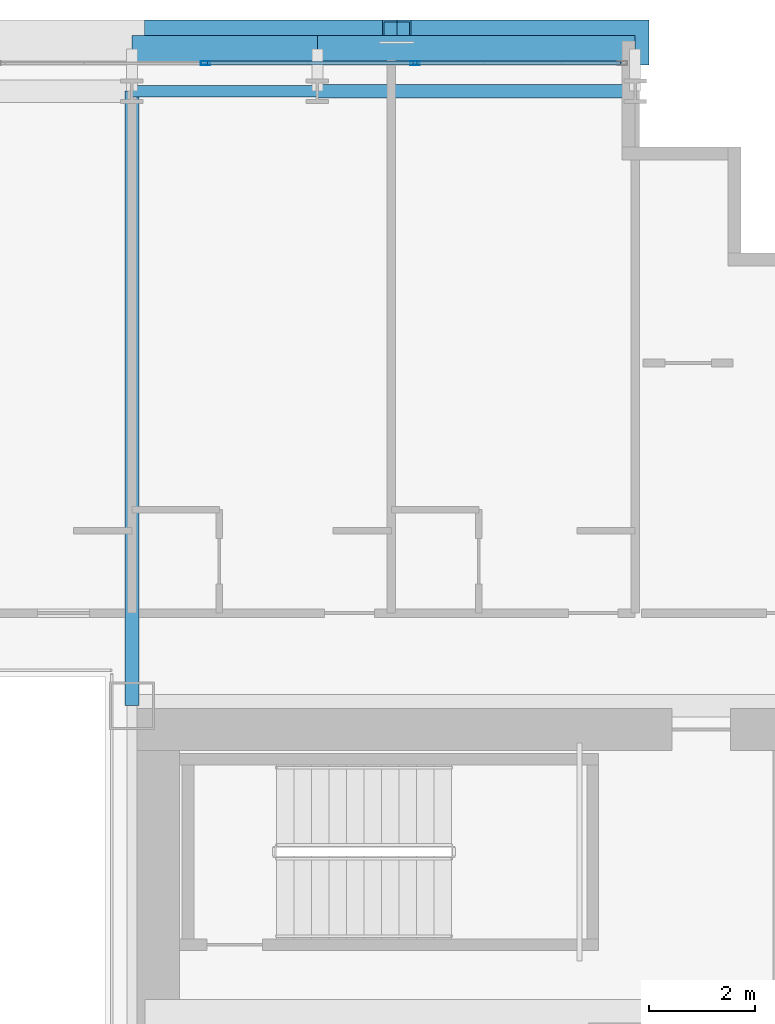
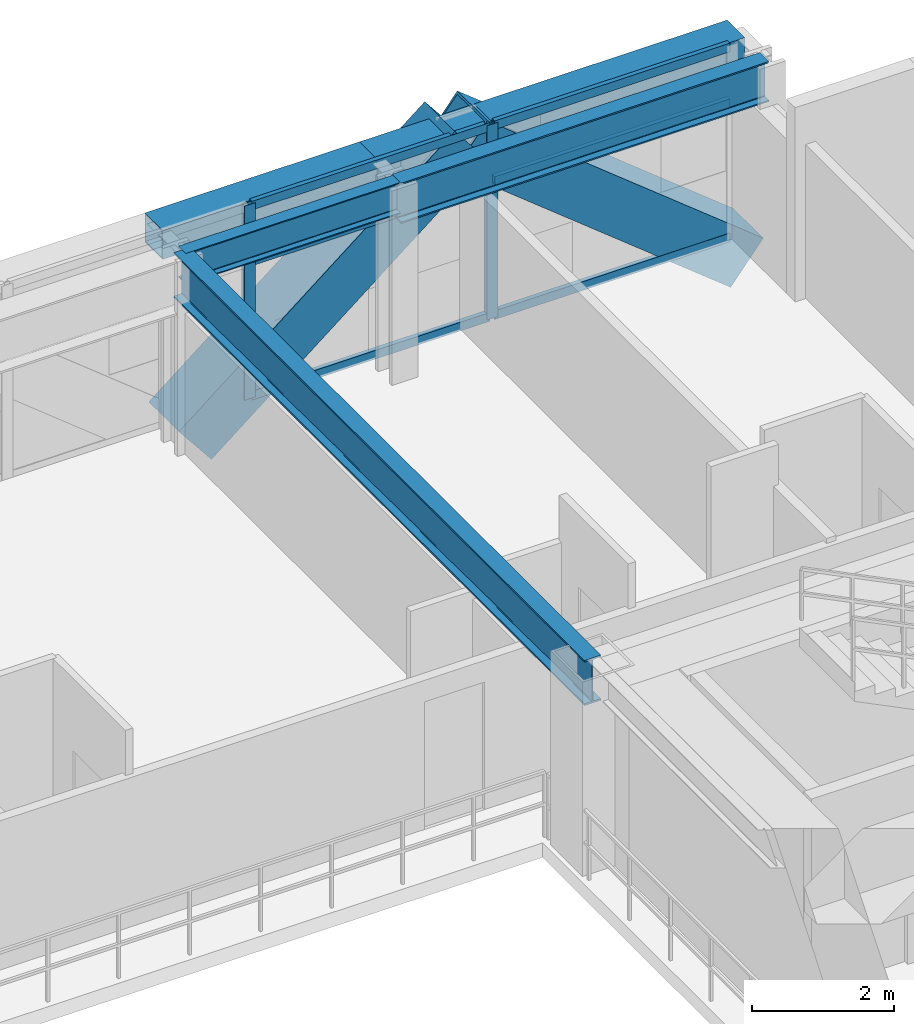
# One storey, part 21 of 35: 10 members, 5 beams, 1 element without a shape of its own.
"""IFC4 building model written with IfcOpenShell, lengths in metres."""

from ifc_helpers import new_model, si_unit, direction, frame, origin, origin_2d, place, context, subcontext, project, spatial, hollow_rectangle, i_section, extrude, source, transform, mapped, material, layer, layer_set, material_profile, profile_set, type_object, element, aggregate, save


model = new_model("IFC4")

# Units and contexts
model_context = context("Model", 3, precision=1e-05, world=origin(), true_north=direction((0.0, 1.0)))
body_context = subcontext(model_context, "Body", "Model", "MODEL_VIEW")
ifc_project = project(units=[si_unit("LENGTHUNIT", "METRE"), si_unit("AREAUNIT", "SQUARE_METRE"), si_unit("VOLUMEUNIT", "CUBIC_METRE"), si_unit("PLANEANGLEUNIT", "RADIAN"), si_unit("MASSUNIT", "GRAM", prefix="KILO")], contexts=[model_context])

# Site, building, storey
site_placement = place(None, origin())
site = spatial("IfcSite", under=ifc_project, at=site_placement, CompositionType="ELEMENT")
building_placement = place(site_placement, origin())
building = spatial("IfcBuilding", under=site, at=building_placement, Name="Ocotamira Hotel", CompositionType="ELEMENT")
storey_placement = place(building_placement, frame((0.0, 0.0, 78.0)))
storey = spatial("IfcBuildingStorey", under=building, at=storey_placement, Name="L19", CompositionType="ELEMENT", Elevation=78.0)

# Beams
ifc_material_1 = material(Name="Steel ASTM A992 Grade 50", Category="steel")
ifc_material_profile_1 = material_profile(ifc_material_1, i_section(OverallWidth=0.256103515625, OverallDepth=0.693115234375, WebThickness=0.014404296875, FlangeThickness=0.023681640625, FilletRadius=0.01611328125, at=origin_2d()), Name="W27X114")
ifc_profile_set_1 = profile_set([ifc_material_profile_1], Name="Steel ASTM A992 Grade 50")
beam_type_1 = type_object("IfcBeamType", Name="BM-PRIM-W27X114", PredefinedType="BEAM", material=ifc_profile_set_1)
shared_shape_1 = source(origin(), body_context, "Body", "SweptSolid", [
    extrude(i_section(OverallWidth=0.256103515625, OverallDepth=0.693115234375, WebThickness=0.014404296875, FlangeThickness=0.023681640625, FilletRadius=0.01611328125, at=origin_2d()), origin(), (0.0, 0.0, 1.0), 6.0),
])
beam_1_placement = place(storey_placement, frame((44.0, 49.050048828125, 3.00341796875), z_axis=(1.0, 0.0, 0.0), x_axis=(0.0, 1.0, 0.0)))
element("IfcBeam", 1, at=beam_1_placement, inside=storey, type_object=beam_type_1, Name="L19 Girder Y49.05 X44-50", PredefinedType="BEAM", context=body_context, shape_type="MappedRepresentation", body=[
    mapped(shared_shape_1, transform((0.0, 0.0, 0.0), scale=1.0)),
])
ifc_material_profile_2 = material_profile(ifc_material_1, i_section(OverallWidth=0.2099609375, OverallDepth=0.537109375, WebThickness=0.010986328125, FlangeThickness=0.017333984375, FilletRadius=0.012939453125, at=origin_2d()), Name="W21X68")
ifc_profile_set_2 = profile_set([ifc_material_profile_2], Name="Steel ASTM A992 Grade 50")
beam_type_2 = type_object("IfcBeamType", Name="BM-SEC-W21X68", PredefinedType="JOIST", material=ifc_profile_set_2)
shared_shape_2 = source(origin(), body_context, "Body", "SweptSolid", [
    extrude(i_section(OverallWidth=0.2099609375, OverallDepth=0.537109375, WebThickness=0.010986328125, FlangeThickness=0.017333984375, FilletRadius=0.012939453125, at=origin_2d()), origin(), (0.0, 0.0, 1.0), 3.5),
])
beam_2_placement = place(storey_placement, frame((40.5, 49.050048828125, 3.08154296875), z_axis=(1.0, 0.0, 0.0), x_axis=(0.0, 1.0, 0.0)))
element("IfcBeam", 2, at=beam_2_placement, inside=storey, type_object=beam_type_2, Name="L19 Girder Y49.05 X40.5-44", PredefinedType="JOIST", context=body_context, shape_type="MappedRepresentation", body=[
    mapped(shared_shape_2, transform((0.0, 0.0, 0.0), scale=1.0)),
])
ifc_material_profile_3 = material_profile(ifc_material_1, i_section(OverallWidth=0.26611328125, OverallDepth=0.779052734375, WebThickness=0.0166015625, FlangeThickness=0.030029296875, FilletRadius=0.01806640625, at=origin_2d()), Name="W30X148")
ifc_profile_set_3 = profile_set([ifc_material_profile_3], Name="Steel ASTM A992 Grade 50")
beam_type_3 = type_object("IfcBeamType", Name="BM-GIRD-W30X148", PredefinedType="BEAM", material=ifc_profile_set_3)
shared_shape_3 = source(origin(), body_context, "Body", "SweptSolid", [
    extrude(i_section(OverallWidth=0.26611328125, OverallDepth=0.779052734375, WebThickness=0.0166015625, FlangeThickness=0.030029296875, FilletRadius=0.01806640625, at=origin_2d()), origin(), (0.0, 0.0, 1.0), 11.60009765625),
])
beam_3_placement = place(storey_placement, frame((40.5, 37.449951171875, 2.96044921875), z_axis=(0.0, 1.0, 0.0), x_axis=(-1.0, 0.0, 0.0)))
element("IfcBeam", 3, at=beam_3_placement, inside=storey, type_object=beam_type_3, Name="L19 Beam X40.5 Y37.45-49.05", PredefinedType="BEAM", context=body_context, shape_type="MappedRepresentation", body=[
    mapped(shared_shape_3, transform((0.0, 0.0, 0.0), scale=1.0)),
])
ifc_material_2 = material(Name="Steel ASTM A500 Grade C", Category="steel")
ifc_material_profile_4 = material_profile(ifc_material_2, hollow_rectangle(XDim=0.5, YDim=0.5, WallThickness=0.02001953125, at=origin_2d()), Name="HSS500X500X20")
ifc_profile_set_4 = profile_set([ifc_material_profile_4], Name="Steel ASTM A500 Grade C")
beam_type_4 = type_object("IfcBeamType", Name="BM-SPAN-HSS500", PredefinedType="USERDEFINED", material=ifc_profile_set_4)
shared_shape_4 = source(origin(), body_context, "Body", "SweptSolid", [
    extrude(hollow_rectangle(XDim=0.5, YDim=0.5, WallThickness=0.02001953125, at=origin_2d()), origin(), (0.0, 0.0, 1.0), 6.0),
])
beam_4_placement = place(storey_placement, frame((44.0, 49.85009765625, 3.10009765625), z_axis=(1.0, 0.0, 0.0), x_axis=(0.0, 1.0, 0.0)))
element("IfcBeam", 4, at=beam_4_placement, inside=storey, type_object=beam_type_4, Name="L19 Edge Spandrel N X44-50", ObjectType="SPANDREL", PredefinedType="USERDEFINED", context=body_context, shape_type="MappedRepresentation", body=[
    mapped(shared_shape_4, transform((0.0, 0.0, 0.0), scale=1.0)),
])
shared_shape_5 = source(origin(), body_context, "Body", "SweptSolid", [
    extrude(hollow_rectangle(XDim=0.5, YDim=0.5, WallThickness=0.02001953125, at=origin_2d()), origin(), (0.0, 0.0, 1.0), 3.5),
])
beam_5_placement = place(storey_placement, frame((40.5, 49.85009765625, 3.10009765625), z_axis=(1.0, 0.0, 0.0), x_axis=(0.0, 1.0, 0.0)))
element("IfcBeam", 5, at=beam_5_placement, inside=storey, type_object=beam_type_4, Name="L19 Edge Spandrel N X40.5-44", ObjectType="SPANDREL", PredefinedType="USERDEFINED", context=body_context, shape_type="MappedRepresentation", body=[
    mapped(shared_shape_5, transform((0.0, 0.0, 0.0), scale=1.0)),
])

# Members
ifc_material_3 = material(Name="Pale-metal coated steel ASTM A913 Grade 65", Category="steel")
ifc_material_profile_5 = material_profile(ifc_material_3, hollow_rectangle(XDim=0.85009765625, YDim=0.85009765625, WallThickness=0.035888671875, at=origin_2d()), Name="BOX850X850X36")
ifc_profile_set_5 = profile_set([ifc_material_profile_5], Name="Pale-metal coated steel ASTM A913 Grade 65")
member_type_1 = type_object("IfcMemberType", Name="MEM-EXO-BOX850", PredefinedType="BRACE", material=ifc_profile_set_5)
shared_shape_6 = source(origin(), body_context, "Body", "SweptSolid", [
    extrude(hollow_rectangle(XDim=0.85009765625, YDim=0.85009765625, WallThickness=0.035888671875, at=origin_2d()), origin(), (0.0, 0.0, 1.0), 5.762939453125),
])
for number, where, z_axis, x_axis, name in (
    (6, (41.0, 49.969970703125, -0.5), (0.780860543151, 0.0, 0.624705380279), (0.0, 1.0, 0.0), "L19 Exoskeleton Diagrid N3.1"),
    (7, (50.0, 49.969970703125, -0.5), (-0.780860543151, 0.0, 0.624705380279), (0.0, -1.0, 0.0), "L19 Exoskeleton Diagrid N3.2"),
):
    element("IfcMember", number, at=place(storey_placement, frame(where, z_axis=z_axis, x_axis=x_axis)), inside=storey, type_object=member_type_1, Name=name, PredefinedType="BRACE", context=body_context, shape_type="MappedRepresentation", body=[
        mapped(shared_shape_6, transform((0.0, 0.0, 0.0), scale=1.0)),
    ])

# Curtain wall, members
ifc_material_4 = material(Name="Anodised pale-metal aluminium and solar glass", Category="aluminium")
ifc_layer = layer(ifc_material_4, 0.179931640625)
ifc_layer_set = layer_set([ifc_layer], Name="Anodised pale-metal aluminium and solar glass")
curtain_wall_type = type_object("IfcCurtainWallType", Name="CW-SYS2-Z1", PredefinedType="NOTDEFINED", material=ifc_layer_set)
curtain_wall_placement = place(storey_placement, origin())
curtain_wall = element("IfcCurtainWall", 8, at=curtain_wall_placement, inside=storey, type_object=curtain_wall_type, Name="L19 Curtain Wall CW-2 CW-L19-N", PredefinedType="NOTDEFINED")
ifc_material_5 = material(Name="Anodised pale-metal aluminium 6063-T6", Category="aluminium")
ifc_material_profile_6 = material_profile(ifc_material_5, hollow_rectangle(XDim=0.074951171875, YDim=0.14990234375, WallThickness=0.006103515625, at=origin_2d()), Name="HSS150X75X6")
ifc_profile_set_6 = profile_set([ifc_material_profile_6], Name="Anodised pale-metal aluminium 6063-T6")
member_type_2 = type_object("IfcMemberType", Name="CWT-150X75", PredefinedType="USERDEFINED", material=ifc_profile_set_6)
shared_shape_7 = source(origin(), body_context, "Body", "SweptSolid", [
    extrude(hollow_rectangle(XDim=0.074951171875, YDim=0.14990234375, WallThickness=0.006103515625, at=origin_2d()), origin(), (0.0, 0.0, 1.0), 3.83544921875),
])
member_1_placement = place(storey_placement, frame((45.884521484375, 49.580078125, 0.03759765625), z_axis=(1.0, 0.0, 0.0), x_axis=(0.0, 1.0, 0.0)))
member_1 = element("IfcMember", 9, at=member_1_placement, type_object=member_type_2, Name="CW-2 transom 9.1", ObjectType="TRANSOM", PredefinedType="USERDEFINED", context=body_context, shape_type="MappedRepresentation", body=[
    mapped(shared_shape_7, transform((0.0, 0.0, 0.0), scale=1.0)),
])
member_2_placement = place(storey_placement, frame((45.884521484375, 49.580078125, 2.35009765625), z_axis=(1.0, 0.0, 0.0), x_axis=(0.0, 1.0, 0.0)))
member_2 = element("IfcMember", 10, at=member_2_placement, type_object=member_type_2, Name="CW-2 transom 9.2", ObjectType="TRANSOM", PredefinedType="USERDEFINED", context=body_context, shape_type="MappedRepresentation", body=[
    mapped(shared_shape_7, transform((0.0, 0.0, 0.0), scale=1.0)),
])
member_3_placement = place(storey_placement, frame((45.884521484375, 49.580078125, 3.3125), z_axis=(1.0, 0.0, 0.0), x_axis=(0.0, 1.0, 0.0)))
member_3 = element("IfcMember", 11, at=member_3_placement, type_object=member_type_2, Name="CW-2 transom 9.3", ObjectType="TRANSOM", PredefinedType="USERDEFINED", context=body_context, shape_type="MappedRepresentation", body=[
    mapped(shared_shape_7, transform((0.0, 0.0, 0.0), scale=1.0)),
])
shared_shape_8 = source(origin(), body_context, "Body", "SweptSolid", [
    extrude(hollow_rectangle(XDim=0.074951171875, YDim=0.14990234375, WallThickness=0.006103515625, at=origin_2d()), origin(), (0.0, 0.0, 1.0), 3.87548828125),
])
member_4_placement = place(storey_placement, frame((41.928955078125, 49.580078125, 0.03759765625), z_axis=(1.0, 0.0, 0.0), x_axis=(0.0, 1.0, 0.0)))
member_4 = element("IfcMember", 12, at=member_4_placement, type_object=member_type_2, Name="CW-2 transom 8.1", ObjectType="TRANSOM", PredefinedType="USERDEFINED", context=body_context, shape_type="MappedRepresentation", body=[
    mapped(shared_shape_8, transform((0.0, 0.0, 0.0), scale=1.0)),
])
member_5_placement = place(storey_placement, frame((41.928955078125, 49.580078125, 2.35009765625), z_axis=(1.0, 0.0, 0.0), x_axis=(0.0, 1.0, 0.0)))
member_5 = element("IfcMember", 13, at=member_5_placement, type_object=member_type_2, Name="CW-2 transom 8.2", ObjectType="TRANSOM", PredefinedType="USERDEFINED", context=body_context, shape_type="MappedRepresentation", body=[
    mapped(shared_shape_8, transform((0.0, 0.0, 0.0), scale=1.0)),
])
member_6_placement = place(storey_placement, frame((41.928955078125, 49.580078125, 3.3125), z_axis=(1.0, 0.0, 0.0), x_axis=(0.0, 1.0, 0.0)))
member_6 = element("IfcMember", 14, at=member_6_placement, type_object=member_type_2, Name="CW-2 transom 8.3", ObjectType="TRANSOM", PredefinedType="USERDEFINED", context=body_context, shape_type="MappedRepresentation", body=[
    mapped(shared_shape_8, transform((0.0, 0.0, 0.0), scale=1.0)),
])
ifc_material_profile_7 = material_profile(ifc_material_5, hollow_rectangle(XDim=0.080078125, YDim=0.179931640625, WallThickness=0.006103515625, at=origin_2d()), Name="HSS180X80X6")
ifc_profile_set_7 = profile_set([ifc_material_profile_7], Name="Anodised pale-metal aluminium 6063-T6")
member_type_3 = type_object("IfcMemberType", Name="CWM-180X75", PredefinedType="MULLION", material=ifc_profile_set_7)
shared_shape_9 = source(origin(), body_context, "Body", "SweptSolid", [
    extrude(hollow_rectangle(XDim=0.080078125, YDim=0.179931640625, WallThickness=0.006103515625, at=origin_2d()), origin(), (0.0, 0.0, 1.0), 3.35009765625),
])
member_7_placement = place(storey_placement, frame((41.888916015625, 49.580078125, 0.0), z_axis=(0.0, 0.0, 1.0), x_axis=(0.0, 1.0, 0.0)))
member_7 = element("IfcMember", 15, at=member_7_placement, type_object=member_type_3, Name="CW-2 mullion 8", PredefinedType="MULLION", context=body_context, shape_type="MappedRepresentation", body=[
    mapped(shared_shape_9, transform((0.0, 0.0, 0.0), scale=1.0)),
])
member_8_placement = place(storey_placement, frame((45.844482421875, 49.580078125, 0.0), z_axis=(0.0, 0.0, 1.0), x_axis=(0.0, 1.0, 0.0)))
member_8 = element("IfcMember", 16, at=member_8_placement, type_object=member_type_3, Name="CW-2 mullion 9", PredefinedType="MULLION", context=body_context, shape_type="MappedRepresentation", body=[
    mapped(shared_shape_9, transform((0.0, 0.0, 0.0), scale=1.0)),
])
aggregate(curtain_wall, [member_7, member_8, member_4, member_5, member_6, member_1, member_2, member_3])

save(model, "model.ifc")
